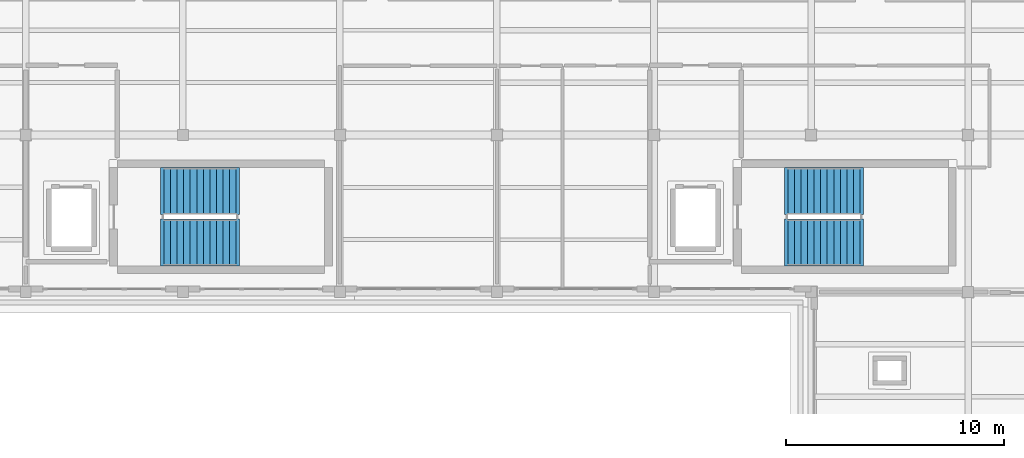
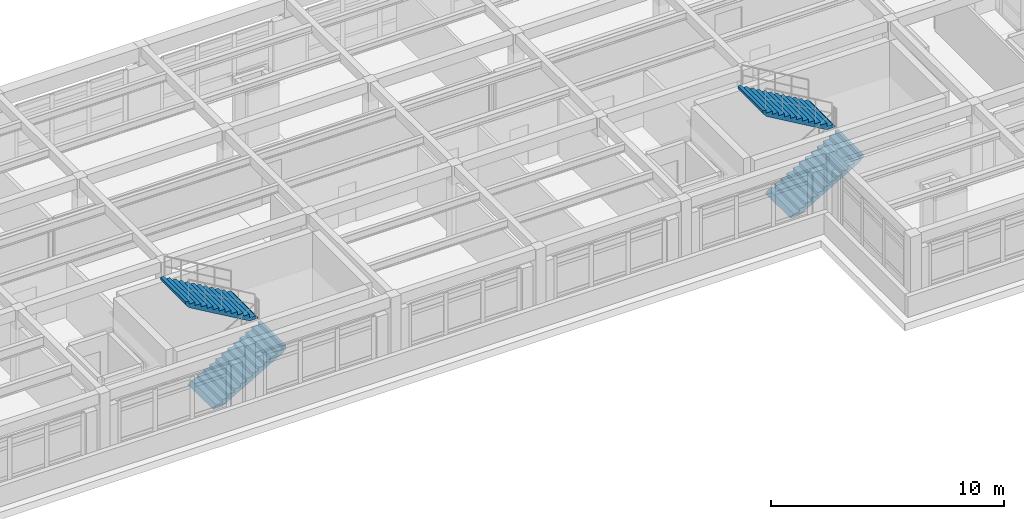
# One storey, part 17 of 20: 4 stair flights, 2 elements without a shape of their own.
"""IFC4 building model written with IfcOpenShell, lengths in metres."""

from ifc_helpers import new_model, si_unit, direction, frame, origin, place, context, subcontext, project, spatial, polyline, outline, extrude, material, type_object, element, aggregate, save


model = new_model("IFC4")

# Units and contexts
model_context = context("Model", 3, precision=1e-05, world=origin(), true_north=direction((0.0, 1.0)))
body_context = subcontext(model_context, "Body", "Model", "MODEL_VIEW")
ifc_project = project(units=[si_unit("LENGTHUNIT", "METRE"), si_unit("AREAUNIT", "SQUARE_METRE"), si_unit("VOLUMEUNIT", "CUBIC_METRE"), si_unit("PLANEANGLEUNIT", "RADIAN"), si_unit("MASSUNIT", "GRAM", prefix="KILO")], contexts=[model_context])

# Site, building, storey
site_placement = place(None, origin())
site = spatial("IfcSite", under=ifc_project, at=site_placement, CompositionType="ELEMENT")
building_placement = place(site_placement, origin())
building = spatial("IfcBuilding", under=site, at=building_placement, Name="Solenvale Faculty of Natural Sciences", CompositionType="ELEMENT")
storey_placement = place(building_placement, frame((0.0, 0.0, 35.39990234375)))
storey = spatial("IfcBuildingStorey", under=building, at=storey_placement, Name="L08", CompositionType="ELEMENT", Elevation=35.39990234375)

# Stair, stair flights
ifc_material = material(Name="Concrete 40 MPa", Category="concrete")
stair_type = type_object("IfcStairType", Name="STR-CORE-25R", PredefinedType="DOUBLE_RETURN_STAIR", material=ifc_material)
stair_1_placement = place(storey_placement, origin())
stair_1 = element("IfcStair", 1, at=stair_1_placement, inside=storey, type_object=stair_type, Name="L08 Protected Exit Stair ST-04", PredefinedType="DOUBLE_RETURN_STAIR")
stair_flight_type = type_object("IfcStairFlightType", Name="SFL-RC-25R", PredefinedType="STRAIGHT", material=ifc_material)
stair_flight_1_placement = place(storey_placement, frame((107.139892578125, 95.875, 0.0), z_axis=(0.0, 0.0, 1.0), x_axis=(1.0, 0.0, 0.0)))
stair_flight_1 = element("IfcStairFlight", 2, at=stair_flight_1_placement, type_object=stair_flight_type, Name="ST-04 flight 1", NumberOfRisers=12, NumberOfTreads=11, PredefinedType="STRAIGHT", RiserHeight=0.175, TreadLength=0.3, context=body_context, shape_type="SweptSolid", body=[
    extrude(outline(polyline([(-0.159912109375, 0.0), (0.0, 0.175048828125), (0.300048828125, 0.175048828125), (0.300048828125, 0.35009765625), (0.60009765625, 0.35009765625), (0.60009765625, 0.52490234375), (0.89990234375, 0.52490234375), (0.89990234375, 0.699951171875), (1.199951171875, 0.699951171875), (1.199951171875, 0.875), (1.5, 0.875), (1.5, 1.050048828125), (1.800048828125, 1.050048828125), (1.800048828125, 1.22509765625), (2.10009765625, 1.22509765625), (2.10009765625, 1.39990234375), (2.39990234375, 1.39990234375), (2.39990234375, 1.574951171875), (2.699951171875, 1.574951171875), (2.699951171875, 1.75), (3.0, 1.75), (3.0, 1.925048828125), (3.300048828125, 1.925048828125), (3.300048828125, 2.10009765625), (3.4599609375, 2.10009765625), (3.4599609375, 1.9501953125), (3.300048828125, 1.75146484375), (0.297607421875, 0.0), (-0.159912109375, 0.0)])), frame((0.0, 1.074951171875, 0.0), z_axis=(0.0, -1.0, 0.0), x_axis=(1.0, 0.0, 0.0)), (0.0, 0.0, 1.0), 2.14990234375),
])
stair_flight_2_placement = place(storey_placement, frame((110.43994140625, 98.22509765625, 2.10009765625), z_axis=(0.0, 0.0, 1.0), x_axis=(-1.0, 0.0, 0.0)))
stair_flight_2 = element("IfcStairFlight", 3, at=stair_flight_2_placement, type_object=stair_flight_type, Name="ST-04 flight 2", NumberOfRisers=12, NumberOfTreads=11, PredefinedType="STRAIGHT", RiserHeight=0.175, TreadLength=0.3, context=body_context, shape_type="SweptSolid", body=[
    extrude(outline(polyline([(-0.159912109375, 0.0), (0.0, 0.175048828125), (0.300048828125, 0.175048828125), (0.300048828125, 0.35009765625), (0.60009765625, 0.35009765625), (0.60009765625, 0.52490234375), (0.89990234375, 0.52490234375), (0.89990234375, 0.699951171875), (1.199951171875, 0.699951171875), (1.199951171875, 0.875), (1.5, 0.875), (1.5, 1.050048828125), (1.800048828125, 1.050048828125), (1.800048828125, 1.22509765625), (2.10009765625, 1.22509765625), (2.10009765625, 1.39990234375), (2.39990234375, 1.39990234375), (2.39990234375, 1.574951171875), (2.699951171875, 1.574951171875), (2.699951171875, 1.75), (3.0, 1.75), (3.0, 1.925048828125), (3.300048828125, 1.925048828125), (3.300048828125, 2.10009765625), (3.4599609375, 2.10009765625), (3.4599609375, 1.9501953125), (3.300048828125, 1.75146484375), (0.297607421875, 0.0), (-0.159912109375, 0.0)])), frame((0.0, 1.074951171875, 0.0), z_axis=(0.0, -1.0, 0.0), x_axis=(1.0, 0.0, 0.0)), (0.0, 0.0, 1.0), 2.14990234375),
])
aggregate(stair_1, [stair_flight_1, stair_flight_2])

stair_2_placement = place(storey_placement, origin())
stair_2 = element("IfcStair", 4, at=stair_2_placement, inside=storey, type_object=stair_type, Name="L08 Protected Exit Stair ST-05", PredefinedType="DOUBLE_RETURN_STAIR")
stair_flight_3_placement = place(storey_placement, frame((135.739990234375, 95.875, 0.0), z_axis=(0.0, 0.0, 1.0), x_axis=(1.0, 0.0, 0.0)))
stair_flight_3 = element("IfcStairFlight", 5, at=stair_flight_3_placement, type_object=stair_flight_type, Name="ST-05 flight 1", NumberOfRisers=12, NumberOfTreads=11, PredefinedType="STRAIGHT", RiserHeight=0.175, TreadLength=0.3, context=body_context, shape_type="SweptSolid", body=[
    extrude(outline(polyline([(-0.159912109375, 0.0), (0.0, 0.175048828125), (0.300048828125, 0.175048828125), (0.300048828125, 0.35009765625), (0.60009765625, 0.35009765625), (0.60009765625, 0.52490234375), (0.89990234375, 0.52490234375), (0.89990234375, 0.699951171875), (1.199951171875, 0.699951171875), (1.199951171875, 0.875), (1.5, 0.875), (1.5, 1.050048828125), (1.800048828125, 1.050048828125), (1.800048828125, 1.22509765625), (2.10009765625, 1.22509765625), (2.10009765625, 1.39990234375), (2.39990234375, 1.39990234375), (2.39990234375, 1.574951171875), (2.699951171875, 1.574951171875), (2.699951171875, 1.75), (3.0, 1.75), (3.0, 1.925048828125), (3.300048828125, 1.925048828125), (3.300048828125, 2.10009765625), (3.4599609375, 2.10009765625), (3.4599609375, 1.9501953125), (3.300048828125, 1.75146484375), (0.297607421875, 0.0), (-0.159912109375, 0.0)])), frame((0.0, 1.074951171875, 0.0), z_axis=(0.0, -1.0, 0.0), x_axis=(1.0, 0.0, 0.0)), (0.0, 0.0, 1.0), 2.14990234375),
])
stair_flight_4_placement = place(storey_placement, frame((139.0400390625, 98.22509765625, 2.10009765625), z_axis=(0.0, 0.0, 1.0), x_axis=(-1.0, 0.0, 0.0)))
stair_flight_4 = element("IfcStairFlight", 6, at=stair_flight_4_placement, type_object=stair_flight_type, Name="ST-05 flight 2", NumberOfRisers=12, NumberOfTreads=11, PredefinedType="STRAIGHT", RiserHeight=0.175, TreadLength=0.3, context=body_context, shape_type="SweptSolid", body=[
    extrude(outline(polyline([(-0.159912109375, 0.0), (0.0, 0.175048828125), (0.300048828125, 0.175048828125), (0.300048828125, 0.35009765625), (0.60009765625, 0.35009765625), (0.60009765625, 0.52490234375), (0.89990234375, 0.52490234375), (0.89990234375, 0.699951171875), (1.199951171875, 0.699951171875), (1.199951171875, 0.875), (1.5, 0.875), (1.5, 1.050048828125), (1.800048828125, 1.050048828125), (1.800048828125, 1.22509765625), (2.10009765625, 1.22509765625), (2.10009765625, 1.39990234375), (2.39990234375, 1.39990234375), (2.39990234375, 1.574951171875), (2.699951171875, 1.574951171875), (2.699951171875, 1.75), (3.0, 1.75), (3.0, 1.925048828125), (3.300048828125, 1.925048828125), (3.300048828125, 2.10009765625), (3.4599609375, 2.10009765625), (3.4599609375, 1.9501953125), (3.300048828125, 1.75146484375), (0.297607421875, 0.0), (-0.159912109375, 0.0)])), frame((0.0, 1.074951171875, 0.0), z_axis=(0.0, -1.0, 0.0), x_axis=(1.0, 0.0, 0.0)), (0.0, 0.0, 1.0), 2.14990234375),
])
aggregate(stair_2, [stair_flight_3, stair_flight_4])

save(model, "model.ifc")
